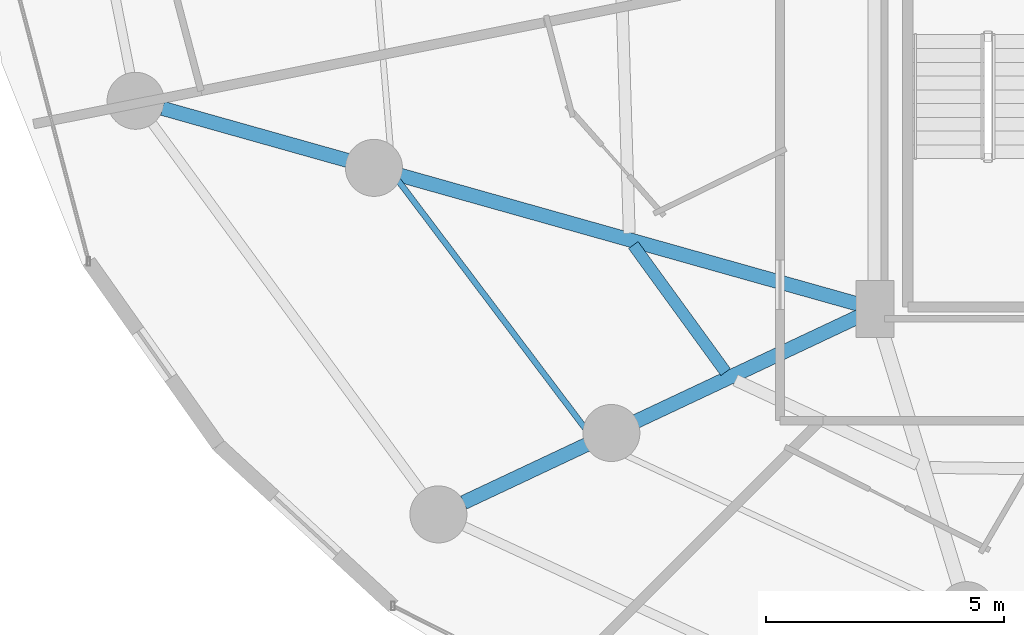
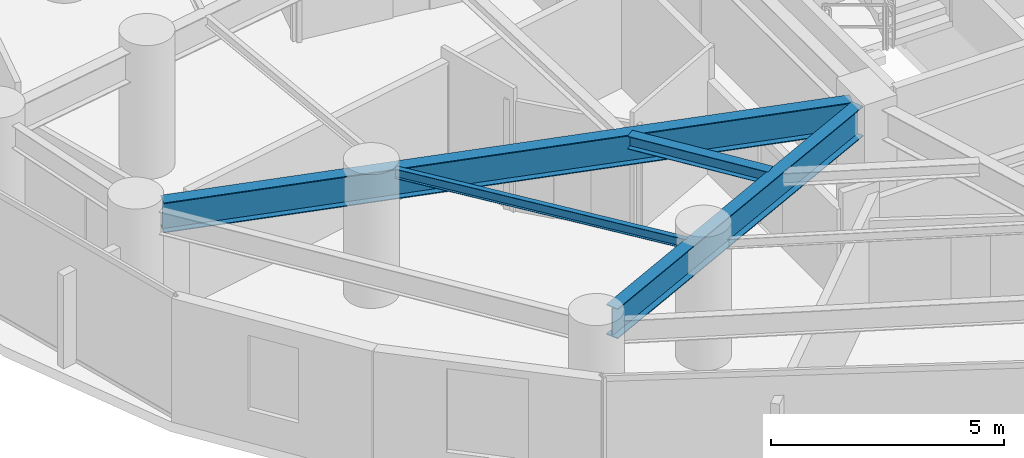
# One storey, part 4 of 35: 4 beams.
"""IFC4 building model written with IfcOpenShell, lengths in metres."""

from ifc_helpers import new_model, si_unit, direction, frame, origin, origin_2d, place, context, subcontext, project, spatial, i_section, extrude, material, material_profile, profile_set, type_object, element, save


model = new_model("IFC4")

# Units and contexts
model_context = context("Model", 3, precision=1e-05, world=origin(), true_north=direction((0.0, 1.0)))
body_context = subcontext(model_context, "Body", "Model", "MODEL_VIEW")
ifc_project = project(units=[si_unit("LENGTHUNIT", "METRE"), si_unit("AREAUNIT", "SQUARE_METRE"), si_unit("VOLUMEUNIT", "CUBIC_METRE"), si_unit("PLANEANGLEUNIT", "RADIAN"), si_unit("MASSUNIT", "GRAM", prefix="KILO")], contexts=[model_context])

# Site, building, storey
site_placement = place(None, origin())
site = spatial("IfcSite", under=ifc_project, at=site_placement, CompositionType="ELEMENT")
building_placement = place(site_placement, origin())
building = spatial("IfcBuilding", under=site, at=building_placement, Name="Vorneva Point Tower", CompositionType="ELEMENT")
storey_placement = place(building_placement, frame((0.0, 0.0, 48.5)))
storey = spatial("IfcBuildingStorey", under=building, at=storey_placement, Name="L12", CompositionType="ELEMENT", Elevation=48.5)

# Beams
ifc_material = material(Name="Steel S355", Category="steel")
ifc_material_profile_1 = material_profile(ifc_material, i_section(OverallWidth=0.300048828125, OverallDepth=0.7880859375, WebThickness=0.014404296875, FlangeThickness=0.02197265625, at=origin_2d()), Name="80Sh1")
ifc_profile_set_1 = profile_set([ifc_material_profile_1], Name="Steel S355")
beam_type_1 = type_object("IfcBeamType", Name="BM-GRD-80Sh1", PredefinedType="USERDEFINED", material=ifc_profile_set_1)
beam_1_placement = place(storey_placement, frame((12.254150390625, 20.67041015625, 2.845947265625), z_axis=(0.962601076089, -0.270922808772, 0.0), x_axis=(0.270922808772, 0.962601076089, 0.0)))
element("IfcBeam", 1, at=beam_1_placement, inside=storey, type_object=beam_type_1, Name="L12 Radial Primary Girder 10", ObjectType="GIRDER", PredefinedType="USERDEFINED", context=body_context, shape_type="SweptSolid", body=[
    extrude(i_section(OverallWidth=0.300048828125, OverallDepth=0.7880859375, WebThickness=0.014404296875, FlangeThickness=0.02197265625, at=origin_2d()), origin(), (0.0, 0.0, 1.0), 15.23828125),
])
beam_2_placement = place(storey_placement, frame((18.59326171875, 12.37451171875, 2.845947265625), z_axis=(0.904749139553, 0.425944825627, 0.0), x_axis=(-0.425944825627, 0.904749139553, 0.0)))
element("IfcBeam", 2, at=beam_2_placement, inside=storey, type_object=beam_type_1, Name="L12 Radial Primary Girder 11", ObjectType="GIRDER", PredefinedType="USERDEFINED", context=body_context, shape_type="SweptSolid", body=[
    extrude(i_section(OverallWidth=0.300048828125, OverallDepth=0.7880859375, WebThickness=0.014404296875, FlangeThickness=0.02197265625, at=origin_2d()), origin(), (0.0, 0.0, 1.0), 9.22802734375),
])
ifc_material_profile_2 = material_profile(ifc_material, i_section(OverallWidth=0.1240234375, OverallDepth=0.248046875, WebThickness=0.0048828125, FlangeThickness=0.008056640625, at=origin_2d()), Name="25B1")
ifc_profile_set_2 = profile_set([ifc_material_profile_2], Name="Steel S355")
beam_type_2 = type_object("IfcBeamType", Name="BM-JST-25B1", PredefinedType="JOIST", material=ifc_profile_set_2)
beam_3_placement = place(storey_placement, frame((17.177978515625, 19.19775390625, 3.115966796875), z_axis=(0.602392200076, -0.798200248865, 0.0), x_axis=(0.798200248865, 0.602392200076, 0.0)))
element("IfcBeam", 3, at=beam_3_placement, inside=storey, type_object=beam_type_2, Name="L12 Secondary Floor Beam 1.10", PredefinedType="JOIST", context=body_context, shape_type="SweptSolid", body=[
    extrude(i_section(OverallWidth=0.1240234375, OverallDepth=0.248046875, WebThickness=0.0048828125, FlangeThickness=0.008056640625, at=origin_2d()), origin(), (0.0, 0.0, 1.0), 6.785400390625),
])
ifc_material_profile_3 = material_profile(ifc_material, i_section(OverallWidth=0.2490234375, OverallDepth=0.333984375, WebThickness=0.008056640625, FlangeThickness=0.010986328125, at=origin_2d()), Name="35Sh1")
ifc_profile_set_3 = profile_set([ifc_material_profile_3], Name="Steel S355")
beam_type_3 = type_object("IfcBeamType", Name="BM-SEC-35Sh1", PredefinedType="BEAM", material=ifc_profile_set_3)
beam_4_placement = place(storey_placement, frame((22.1630859375, 17.792724609375, 3.072998046875), z_axis=(0.587982797478, -0.80887343254, 0.0), x_axis=(0.80887343254, 0.587982797478, 0.0)))
element("IfcBeam", 4, at=beam_4_placement, inside=storey, type_object=beam_type_3, Name="L12 Secondary Floor Beam 2.10", PredefinedType="BEAM", context=body_context, shape_type="SweptSolid", body=[
    extrude(i_section(OverallWidth=0.2490234375, OverallDepth=0.333984375, WebThickness=0.008056640625, FlangeThickness=0.010986328125, at=origin_2d()), origin(), (0.0, 0.0, 1.0), 3.3046875),
])

save(model, "model.ifc")
